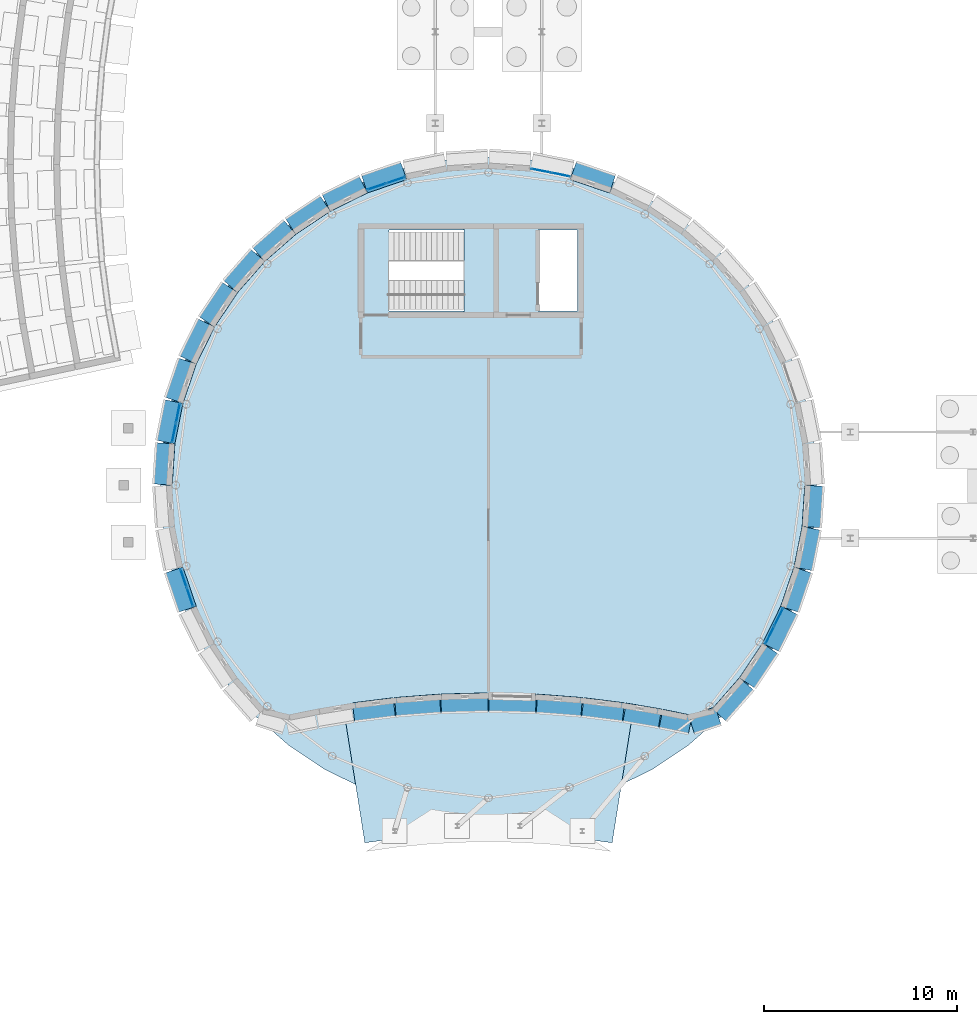
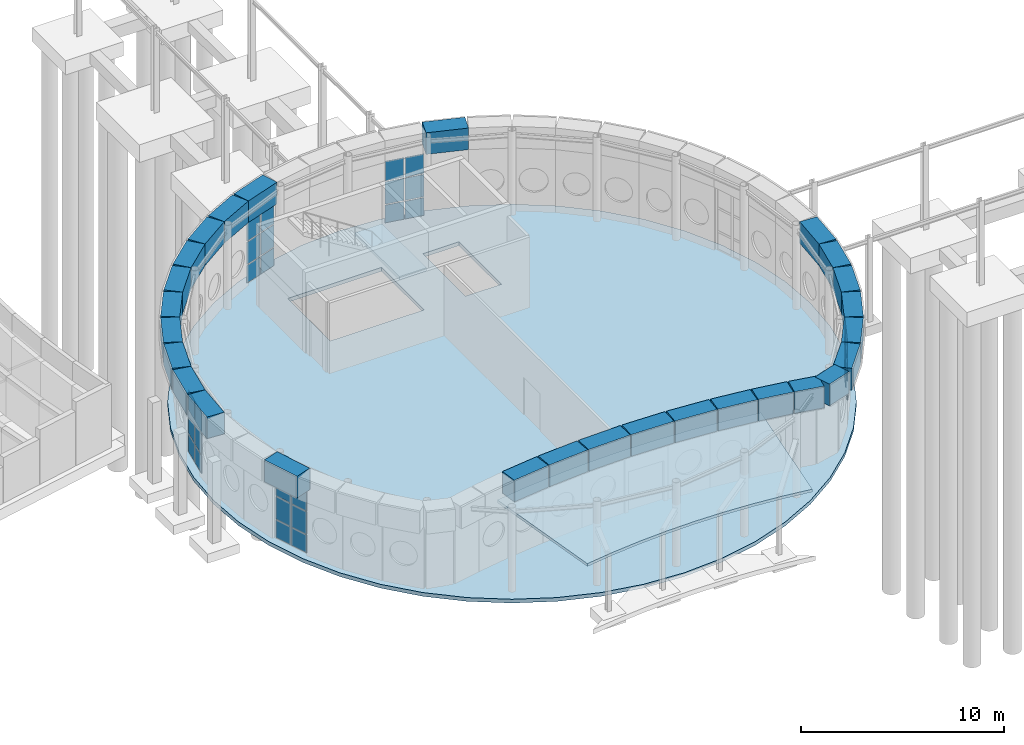
# One storey, part 74 of 109: 57 plates, 3 slabs, 6 elements without a shape of their own.
"""IFC4 building model written with IfcOpenShell, lengths in metres."""

from ifc_helpers import new_model, si_unit, direction, frame, origin, origin_2d, place, context, subcontext, project, spatial, polyline, rectangle, outline, extrude, material, layer, layer_set, type_object, element, aggregate, save


model = new_model("IFC4")

# Units and contexts
model_context = context("Model", 3, precision=1e-05, world=origin(), true_north=direction((0.0, 1.0)))
body_context = subcontext(model_context, "Body", "Model", "MODEL_VIEW")
ifc_project = project(units=[si_unit("LENGTHUNIT", "METRE"), si_unit("AREAUNIT", "SQUARE_METRE"), si_unit("VOLUMEUNIT", "CUBIC_METRE"), si_unit("PLANEANGLEUNIT", "RADIAN"), si_unit("MASSUNIT", "GRAM", prefix="KILO")], contexts=[model_context])

# Site, building, storey
site_placement = place(None, origin())
site = spatial("IfcSite", under=ifc_project, at=site_placement, CompositionType="ELEMENT")
building_placement = place(site_placement, origin())
building = spatial("IfcBuilding", under=site, at=building_placement, Name="Montecoro Central Library", CompositionType="ELEMENT")
storey_placement = place(building_placement, origin())
storey = spatial("IfcBuildingStorey", under=building, at=storey_placement, Name="L00", CompositionType="ELEMENT", Elevation=0.0)

# Curtain wall, plates
ifc_material_1 = material(Name="Bronze-anodised aluminium and low-E glazing", Category="aluminium")
ifc_layer_1 = layer(ifc_material_1, 0.159912109375)
ifc_layer_set_1 = layer_set([ifc_layer_1], Name="Bronze-anodised aluminium and low-E glazing")
curtain_wall_type_1 = type_object("IfcCurtainWallType", Name="CWT-002", PredefinedType="NOTDEFINED", material=ifc_layer_set_1)
curtain_wall_1_placement = place(storey_placement, origin())
curtain_wall_1 = element("IfcCurtainWall", 1, at=curtain_wall_1_placement, inside=storey, type_object=curtain_wall_type_1, Name="V1-L00-CW-11", PredefinedType="NOTDEFINED")
ifc_material_2 = material(Name="Laminated low-E double glazing", Category="glass")
ifc_layer_2 = layer(ifc_material_2, 0.02587890625)
ifc_layer_set_2 = layer_set([ifc_layer_2], Name="Laminated low-E double glazing")
plate_type_1 = type_object("IfcPlateType", Name="CWP-GLZ-01", PredefinedType="CURTAIN_PANEL", material=ifc_layer_set_2)
plate_1_placement = place(storey_placement, frame((95.327392578125, 51.46630859375, 0.06005859375), z_axis=(0.0, 0.0, 1.0), x_axis=(-0.980830889445, 0.194860889637, 0.0)))
plate_1 = element("IfcPlate", 2, at=plate_1_placement, type_object=plate_type_1, Name="CW-002 panel 1.1", PredefinedType="CURTAIN_PANEL", context=body_context, shape_type="SweptSolid", body=[
    extrude(rectangle(XDim=0.982666015625, YDim=0.02587890625, at=origin_2d()), origin(), (0.0, 0.0, 1.0), 1.06005859375),
])
plate_2_placement = place(storey_placement, frame((95.327392578125, 51.46630859375, 1.18017578125), z_axis=(0.0, 0.0, 1.0), x_axis=(-0.980830889445, 0.194860889637, 0.0)))
plate_2 = element("IfcPlate", 3, at=plate_2_placement, type_object=plate_type_1, Name="CW-002 panel 1.2", PredefinedType="CURTAIN_PANEL", context=body_context, shape_type="SweptSolid", body=[
    extrude(rectangle(XDim=0.982666015625, YDim=0.02587890625, at=origin_2d()), origin(), (0.0, 0.0, 1.0), 1.340087890625),
])
plate_3_placement = place(storey_placement, frame((95.327392578125, 51.46630859375, 2.580078125), z_axis=(0.0, 0.0, 1.0), x_axis=(-0.980830889445, 0.194860889637, 0.0)))
plate_3 = element("IfcPlate", 4, at=plate_3_placement, type_object=plate_type_1, Name="CW-002 panel 1.3", PredefinedType="CURTAIN_PANEL", context=body_context, shape_type="SweptSolid", body=[
    extrude(rectangle(XDim=0.982666015625, YDim=0.02587890625, at=origin_2d()), origin(), (0.0, 0.0, 1.0), 1.179931640625),
])
plate_4_placement = place(storey_placement, frame((94.3046875, 51.669677734375, 0.06005859375), z_axis=(0.0, 0.0, 1.0), x_axis=(-0.980830889445, 0.194860889637, 0.0)))
plate_4 = element("IfcPlate", 5, at=plate_4_placement, type_object=plate_type_1, Name="CW-002 panel 2.1", PredefinedType="CURTAIN_PANEL", context=body_context, shape_type="SweptSolid", body=[
    extrude(rectangle(XDim=0.982666015625, YDim=0.02587890625, at=origin_2d()), origin(), (0.0, 0.0, 1.0), 1.06005859375),
])
plate_5_placement = place(storey_placement, frame((94.3046875, 51.669677734375, 1.18017578125), z_axis=(0.0, 0.0, 1.0), x_axis=(-0.980830889445, 0.194860889637, 0.0)))
plate_5 = element("IfcPlate", 6, at=plate_5_placement, type_object=plate_type_1, Name="CW-002 panel 2.2", PredefinedType="CURTAIN_PANEL", context=body_context, shape_type="SweptSolid", body=[
    extrude(rectangle(XDim=0.982666015625, YDim=0.02587890625, at=origin_2d()), origin(), (0.0, 0.0, 1.0), 1.340087890625),
])
plate_6_placement = place(storey_placement, frame((94.3046875, 51.669677734375, 2.580078125), z_axis=(0.0, 0.0, 1.0), x_axis=(-0.980830889445, 0.194860889637, 0.0)))
plate_6 = element("IfcPlate", 7, at=plate_6_placement, type_object=plate_type_1, Name="CW-002 panel 2.3", PredefinedType="CURTAIN_PANEL", context=body_context, shape_type="SweptSolid", body=[
    extrude(rectangle(XDim=0.982666015625, YDim=0.02587890625, at=origin_2d()), origin(), (0.0, 0.0, 1.0), 1.179931640625),
])
aggregate(curtain_wall_1, [plate_1, plate_2, plate_3, plate_4, plate_5, plate_6])

ifc_layer_3 = layer(ifc_material_1, 0.159912109375)
ifc_layer_set_3 = layer_set([ifc_layer_3], Name="Bronze-anodised aluminium and low-E glazing")
curtain_wall_type_2 = type_object("IfcCurtainWallType", Name="CWT-001", PredefinedType="NOTDEFINED", material=ifc_layer_set_3)
curtain_wall_2_placement = place(storey_placement, origin())
curtain_wall_2 = element("IfcCurtainWall", 8, at=curtain_wall_2_placement, inside=storey, type_object=curtain_wall_type_2, Name="V1-L00-CW-15", PredefinedType="NOTDEFINED")
plate_7_placement = place(storey_placement, frame((86.794189453125, 51.177001953125, 0.06005859375), z_axis=(0.0, 0.0, 1.0), x_axis=(-0.946943212064, -0.32140092272, 0.0)))
plate_7 = element("IfcPlate", 9, at=plate_7_placement, type_object=plate_type_1, Name="CW-001 panel 1.1", PredefinedType="CURTAIN_PANEL", context=body_context, shape_type="SweptSolid", body=[
    extrude(rectangle(XDim=0.98193359375, YDim=0.02587890625, at=origin_2d()), origin(), (0.0, 0.0, 1.0), 1.06005859375),
])
plate_8_placement = place(storey_placement, frame((86.794189453125, 51.177001953125, 1.18017578125), z_axis=(0.0, 0.0, 1.0), x_axis=(-0.946943212064, -0.32140092272, 0.0)))
plate_8 = element("IfcPlate", 10, at=plate_8_placement, type_object=plate_type_1, Name="CW-001 panel 1.2", PredefinedType="CURTAIN_PANEL", context=body_context, shape_type="SweptSolid", body=[
    extrude(rectangle(XDim=0.98193359375, YDim=0.02587890625, at=origin_2d()), origin(), (0.0, 0.0, 1.0), 1.340087890625),
])
plate_9_placement = place(storey_placement, frame((86.794189453125, 51.177001953125, 2.580078125), z_axis=(0.0, 0.0, 1.0), x_axis=(-0.946943212064, -0.32140092272, 0.0)))
plate_9 = element("IfcPlate", 11, at=plate_9_placement, type_object=plate_type_1, Name="CW-001 panel 1.3", PredefinedType="CURTAIN_PANEL", context=body_context, shape_type="SweptSolid", body=[
    extrude(rectangle(XDim=0.98193359375, YDim=0.02587890625, at=origin_2d()), origin(), (0.0, 0.0, 1.0), 1.179931640625),
])
plate_10_placement = place(storey_placement, frame((85.8076171875, 50.842041015625, 0.06005859375), z_axis=(0.0, 0.0, 1.0), x_axis=(-0.946943212064, -0.32140092272, 0.0)))
plate_10 = element("IfcPlate", 12, at=plate_10_placement, type_object=plate_type_1, Name="CW-001 panel 2.1", PredefinedType="CURTAIN_PANEL", context=body_context, shape_type="SweptSolid", body=[
    extrude(rectangle(XDim=0.98193359375, YDim=0.02587890625, at=origin_2d()), origin(), (0.0, 0.0, 1.0), 1.06005859375),
])
plate_11_placement = place(storey_placement, frame((85.8076171875, 50.842041015625, 1.18017578125), z_axis=(0.0, 0.0, 1.0), x_axis=(-0.946943212064, -0.32140092272, 0.0)))
plate_11 = element("IfcPlate", 13, at=plate_11_placement, type_object=plate_type_1, Name="CW-001 panel 2.2", PredefinedType="CURTAIN_PANEL", context=body_context, shape_type="SweptSolid", body=[
    extrude(rectangle(XDim=0.98193359375, YDim=0.02587890625, at=origin_2d()), origin(), (0.0, 0.0, 1.0), 1.340087890625),
])
plate_12_placement = place(storey_placement, frame((85.8076171875, 50.842041015625, 2.580078125), z_axis=(0.0, 0.0, 1.0), x_axis=(-0.946943212064, -0.32140092272, 0.0)))
plate_12 = element("IfcPlate", 14, at=plate_12_placement, type_object=plate_type_1, Name="CW-001 panel 2.3", PredefinedType="CURTAIN_PANEL", context=body_context, shape_type="SweptSolid", body=[
    extrude(rectangle(XDim=0.98193359375, YDim=0.02587890625, at=origin_2d()), origin(), (0.0, 0.0, 1.0), 1.179931640625),
])
aggregate(curtain_wall_2, [plate_7, plate_8, plate_9, plate_10, plate_11, plate_12])

curtain_wall_3_placement = place(storey_placement, origin())
curtain_wall_3 = element("IfcCurtainWall", 15, at=curtain_wall_3_placement, inside=storey, type_object=curtain_wall_type_1, Name="V1-L00-CW-23", PredefinedType="NOTDEFINED")
plate_13_placement = place(storey_placement, frame((75.53369140625, 39.127197265625, 0.06005859375), z_axis=(0.0, 0.0, 1.0), x_axis=(-0.194860889637, -0.980830889445, 0.0)))
plate_13 = element("IfcPlate", 16, at=plate_13_placement, type_object=plate_type_1, Name="CW-002 panel 1.1", PredefinedType="CURTAIN_PANEL", context=body_context, shape_type="SweptSolid", body=[
    extrude(rectangle(XDim=0.982666015625, YDim=0.02587890625, at=origin_2d()), origin(), (0.0, 0.0, 1.0), 1.06005859375),
])
plate_14_placement = place(storey_placement, frame((75.53369140625, 39.127197265625, 1.18017578125), z_axis=(0.0, 0.0, 1.0), x_axis=(-0.194860889637, -0.980830889445, 0.0)))
plate_14 = element("IfcPlate", 17, at=plate_14_placement, type_object=plate_type_1, Name="CW-002 panel 1.2", PredefinedType="CURTAIN_PANEL", context=body_context, shape_type="SweptSolid", body=[
    extrude(rectangle(XDim=0.982666015625, YDim=0.02587890625, at=origin_2d()), origin(), (0.0, 0.0, 1.0), 1.340087890625),
])
plate_15_placement = place(storey_placement, frame((75.53369140625, 39.127197265625, 2.580078125), z_axis=(0.0, 0.0, 1.0), x_axis=(-0.194860889637, -0.980830889445, 0.0)))
plate_15 = element("IfcPlate", 18, at=plate_15_placement, type_object=plate_type_1, Name="CW-002 panel 1.3", PredefinedType="CURTAIN_PANEL", context=body_context, shape_type="SweptSolid", body=[
    extrude(rectangle(XDim=0.982666015625, YDim=0.02587890625, at=origin_2d()), origin(), (0.0, 0.0, 1.0), 1.179931640625),
])
plate_16_placement = place(storey_placement, frame((75.330322265625, 38.104736328125, 0.06005859375), z_axis=(0.0, 0.0, 1.0), x_axis=(-0.194860889637, -0.980830889445, 0.0)))
plate_16 = element("IfcPlate", 19, at=plate_16_placement, type_object=plate_type_1, Name="CW-002 panel 2.1", PredefinedType="CURTAIN_PANEL", context=body_context, shape_type="SweptSolid", body=[
    extrude(rectangle(XDim=0.982666015625, YDim=0.02587890625, at=origin_2d()), origin(), (0.0, 0.0, 1.0), 1.06005859375),
])
plate_17_placement = place(storey_placement, frame((75.330322265625, 38.104736328125, 1.18017578125), z_axis=(0.0, 0.0, 1.0), x_axis=(-0.194860889637, -0.980830889445, 0.0)))
plate_17 = element("IfcPlate", 20, at=plate_17_placement, type_object=plate_type_1, Name="CW-002 panel 2.2", PredefinedType="CURTAIN_PANEL", context=body_context, shape_type="SweptSolid", body=[
    extrude(rectangle(XDim=0.982666015625, YDim=0.02587890625, at=origin_2d()), origin(), (0.0, 0.0, 1.0), 1.340087890625),
])
plate_18_placement = place(storey_placement, frame((75.330322265625, 38.104736328125, 2.580078125), z_axis=(0.0, 0.0, 1.0), x_axis=(-0.194860889637, -0.980830889445, 0.0)))
plate_18 = element("IfcPlate", 21, at=plate_18_placement, type_object=plate_type_1, Name="CW-002 panel 2.3", PredefinedType="CURTAIN_PANEL", context=body_context, shape_type="SweptSolid", body=[
    extrude(rectangle(XDim=0.982666015625, YDim=0.02587890625, at=origin_2d()), origin(), (0.0, 0.0, 1.0), 1.179931640625),
])
aggregate(curtain_wall_3, [plate_13, plate_14, plate_15, plate_16, plate_17, plate_18])

curtain_wall_4_placement = place(storey_placement, origin())
curtain_wall_4 = element("IfcCurtainWall", 22, at=curtain_wall_4_placement, inside=storey, type_object=curtain_wall_type_2, Name="V1-L00-CW-27", PredefinedType="NOTDEFINED")
plate_19_placement = place(storey_placement, frame((75.822998046875, 30.59423828125, 0.06005859375), z_axis=(0.0, 0.0, 1.0), x_axis=(0.32140092272, -0.946943212064, 0.0)))
plate_19 = element("IfcPlate", 23, at=plate_19_placement, type_object=plate_type_1, Name="CW-001 panel 1.1", PredefinedType="CURTAIN_PANEL", context=body_context, shape_type="SweptSolid", body=[
    extrude(rectangle(XDim=0.98193359375, YDim=0.02587890625, at=origin_2d()), origin(), (0.0, 0.0, 1.0), 1.06005859375),
])
plate_20_placement = place(storey_placement, frame((75.822998046875, 30.59423828125, 1.18017578125), z_axis=(0.0, 0.0, 1.0), x_axis=(0.32140092272, -0.946943212064, 0.0)))
plate_20 = element("IfcPlate", 24, at=plate_20_placement, type_object=plate_type_1, Name="CW-001 panel 1.2", PredefinedType="CURTAIN_PANEL", context=body_context, shape_type="SweptSolid", body=[
    extrude(rectangle(XDim=0.98193359375, YDim=0.02587890625, at=origin_2d()), origin(), (0.0, 0.0, 1.0), 1.340087890625),
])
plate_21_placement = place(storey_placement, frame((75.822998046875, 30.59423828125, 2.580078125), z_axis=(0.0, 0.0, 1.0), x_axis=(0.32140092272, -0.946943212064, 0.0)))
plate_21 = element("IfcPlate", 25, at=plate_21_placement, type_object=plate_type_1, Name="CW-001 panel 1.3", PredefinedType="CURTAIN_PANEL", context=body_context, shape_type="SweptSolid", body=[
    extrude(rectangle(XDim=0.98193359375, YDim=0.02587890625, at=origin_2d()), origin(), (0.0, 0.0, 1.0), 1.179931640625),
])
plate_22_placement = place(storey_placement, frame((76.157958984375, 29.607666015625, 0.06005859375), z_axis=(0.0, 0.0, 1.0), x_axis=(0.32140092272, -0.946943212064, 0.0)))
plate_22 = element("IfcPlate", 26, at=plate_22_placement, type_object=plate_type_1, Name="CW-001 panel 2.1", PredefinedType="CURTAIN_PANEL", context=body_context, shape_type="SweptSolid", body=[
    extrude(rectangle(XDim=0.98193359375, YDim=0.02587890625, at=origin_2d()), origin(), (0.0, 0.0, 1.0), 1.06005859375),
])
plate_23_placement = place(storey_placement, frame((76.157958984375, 29.607666015625, 1.18017578125), z_axis=(0.0, 0.0, 1.0), x_axis=(0.32140092272, -0.946943212064, 0.0)))
plate_23 = element("IfcPlate", 27, at=plate_23_placement, type_object=plate_type_1, Name="CW-001 panel 2.2", PredefinedType="CURTAIN_PANEL", context=body_context, shape_type="SweptSolid", body=[
    extrude(rectangle(XDim=0.98193359375, YDim=0.02587890625, at=origin_2d()), origin(), (0.0, 0.0, 1.0), 1.340087890625),
])
plate_24_placement = place(storey_placement, frame((76.157958984375, 29.607666015625, 2.580078125), z_axis=(0.0, 0.0, 1.0), x_axis=(0.32140092272, -0.946943212064, 0.0)))
plate_24 = element("IfcPlate", 28, at=plate_24_placement, type_object=plate_type_1, Name="CW-001 panel 2.3", PredefinedType="CURTAIN_PANEL", context=body_context, shape_type="SweptSolid", body=[
    extrude(rectangle(XDim=0.98193359375, YDim=0.02587890625, at=origin_2d()), origin(), (0.0, 0.0, 1.0), 1.179931640625),
])
aggregate(curtain_wall_4, [plate_19, plate_20, plate_21, plate_22, plate_23, plate_24])

curtain_wall_5_placement = place(storey_placement, origin())
curtain_wall_5 = element("IfcCurtainWall", 29, at=curtain_wall_5_placement, inside=storey, type_object=curtain_wall_type_2, Name="V1-L00-CW-45", PredefinedType="NOTDEFINED")
plate_25_placement = place(storey_placement, frame((106.154296875, 27.641357421875, 0.06005859375), z_axis=(0.0, 0.0, 1.0), x_axis=(0.441608953303, 0.897207630575, 0.0)))
plate_25 = element("IfcPlate", 30, at=plate_25_placement, type_object=plate_type_1, Name="CW-001 panel 1.1", PredefinedType="CURTAIN_PANEL", context=body_context, shape_type="SweptSolid", body=[
    extrude(rectangle(XDim=0.982177734375, YDim=0.02587890625, at=origin_2d()), origin(), (0.0, 0.0, 1.0), 1.06005859375),
])
plate_26_placement = place(storey_placement, frame((106.154296875, 27.641357421875, 1.18017578125), z_axis=(0.0, 0.0, 1.0), x_axis=(0.441608953303, 0.897207630575, 0.0)))
plate_26 = element("IfcPlate", 31, at=plate_26_placement, type_object=plate_type_1, Name="CW-001 panel 1.2", PredefinedType="CURTAIN_PANEL", context=body_context, shape_type="SweptSolid", body=[
    extrude(rectangle(XDim=0.982177734375, YDim=0.02587890625, at=origin_2d()), origin(), (0.0, 0.0, 1.0), 1.340087890625),
])
plate_27_placement = place(storey_placement, frame((106.154296875, 27.641357421875, 2.580078125), z_axis=(0.0, 0.0, 1.0), x_axis=(0.441608953303, 0.897207630575, 0.0)))
plate_27 = element("IfcPlate", 32, at=plate_27_placement, type_object=plate_type_1, Name="CW-001 panel 1.3", PredefinedType="CURTAIN_PANEL", context=body_context, shape_type="SweptSolid", body=[
    extrude(rectangle(XDim=0.982177734375, YDim=0.02587890625, at=origin_2d()), origin(), (0.0, 0.0, 1.0), 1.179931640625),
])
plate_28_placement = place(storey_placement, frame((106.61474609375, 28.57666015625, 0.06005859375), z_axis=(0.0, 0.0, 1.0), x_axis=(0.441608953303, 0.897207630575, 0.0)))
plate_28 = element("IfcPlate", 33, at=plate_28_placement, type_object=plate_type_1, Name="CW-001 panel 2.1", PredefinedType="CURTAIN_PANEL", context=body_context, shape_type="SweptSolid", body=[
    extrude(rectangle(XDim=0.982177734375, YDim=0.02587890625, at=origin_2d()), origin(), (0.0, 0.0, 1.0), 1.06005859375),
])
plate_29_placement = place(storey_placement, frame((106.61474609375, 28.57666015625, 1.18017578125), z_axis=(0.0, 0.0, 1.0), x_axis=(0.441608953303, 0.897207630575, 0.0)))
plate_29 = element("IfcPlate", 34, at=plate_29_placement, type_object=plate_type_1, Name="CW-001 panel 2.2", PredefinedType="CURTAIN_PANEL", context=body_context, shape_type="SweptSolid", body=[
    extrude(rectangle(XDim=0.982177734375, YDim=0.02587890625, at=origin_2d()), origin(), (0.0, 0.0, 1.0), 1.340087890625),
])
plate_30_placement = place(storey_placement, frame((106.61474609375, 28.57666015625, 2.580078125), z_axis=(0.0, 0.0, 1.0), x_axis=(0.441608953303, 0.897207630575, 0.0)))
plate_30 = element("IfcPlate", 35, at=plate_30_placement, type_object=plate_type_1, Name="CW-001 panel 2.3", PredefinedType="CURTAIN_PANEL", context=body_context, shape_type="SweptSolid", body=[
    extrude(rectangle(XDim=0.982177734375, YDim=0.02587890625, at=origin_2d()), origin(), (0.0, 0.0, 1.0), 1.179931640625),
])
aggregate(curtain_wall_5, [plate_25, plate_26, plate_27, plate_28, plate_29, plate_30])

# Plates
ifc_material_3 = material(Name="Bright white Roman travertine architrave stone", Category="masonry")
ifc_layer_4 = layer(ifc_material_3, 0.949951171875)
ifc_layer_set_4 = layer_set([ifc_layer_4], Name="Bright white Roman travertine architrave stone")
plate_type_2 = type_object("IfcPlateType", Name="PLT-SPN-07", PredefinedType="SHEET", material=ifc_layer_set_4)
for number, where, z_axis, x_axis, name in (
    (36, (97.0009765625, 51.31201171875, 3.7998046875), (0.0, 0.0, 1.0), (-0.946874013303, 0.321604730892, 0.0), "White Travertine Curved Entrance Architrave Band"),
    (37, (86.197998046875, 51.31201171875, 3.7998046875), (0.0, 0.0, 1.0), (-0.946874013303, -0.321604730892, 0.0), "White Travertine Curved Entrance Architrave Band"),
):
    element("IfcPlate", number, at=place(storey_placement, frame(where, z_axis=z_axis, x_axis=x_axis)), inside=storey, type_object=plate_type_2, Name=name, PredefinedType="SHEET", context=body_context, shape_type="SweptSolid", body=[
        extrude(rectangle(XDim=2.14208984375, YDim=0.949951171875, at=origin_2d()), origin(), (0.0, 0.0, 1.0), 1.300048828125),
    ])
for number, where, z_axis, x_axis, name in (
    (38, (84.16796875, 50.470947265625, 3.7998046875), (0.0, 0.0, 1.0), (-0.896949921811, -0.44213214966, 0.0), "White Travertine Curved Entrance Architrave Band"),
    (39, (82.263916015625, 49.3720703125, 3.7998046875), (0.0, 0.0, 1.0), (-0.831469612303, -0.55557023302, 0.0), "White Travertine Curved Entrance Architrave Band"),
):
    element("IfcPlate", number, at=place(storey_placement, frame(where, z_axis=z_axis, x_axis=x_axis)), inside=storey, type_object=plate_type_2, Name=name, PredefinedType="SHEET", context=body_context, shape_type="SweptSolid", body=[
        extrude(rectangle(XDim=2.14306640625, YDim=0.949951171875, at=origin_2d()), origin(), (0.0, 0.0, 1.0), 1.300048828125),
    ])
for number, where, z_axis, x_axis, name in (
    (40, (80.52001953125, 48.033935546875, 3.7998046875), (0.0, 0.0, 1.0), (-0.751954873581, -0.659214584257, 0.0), "White Travertine Curved Entrance Architrave Band"),
    (41, (78.966064453125, 46.47998046875, 3.7998046875), (0.0, 0.0, 1.0), (-0.659214584257, -0.751954873581, 0.0), "White Travertine Curved Entrance Architrave Band"),
):
    element("IfcPlate", number, at=place(storey_placement, frame(where, z_axis=z_axis, x_axis=x_axis)), inside=storey, type_object=plate_type_2, Name=name, PredefinedType="SHEET", context=body_context, shape_type="SweptSolid", body=[
        extrude(rectangle(XDim=2.14208984375, YDim=0.949951171875, at=origin_2d()), origin(), (0.0, 0.0, 1.0), 1.300048828125),
    ])
for number, where, z_axis, x_axis, name in (
    (42, (77.6279296875, 44.736083984375, 3.7998046875), (0.0, 0.0, 1.0), (-0.55557023302, -0.831469612303, 0.0), "White Travertine Curved Entrance Architrave Band"),
    (43, (76.529052734375, 42.83203125, 3.7998046875), (0.0, 0.0, 1.0), (-0.44213214966, -0.896949921811, 0.0), "White Travertine Curved Entrance Architrave Band"),
):
    element("IfcPlate", number, at=place(storey_placement, frame(where, z_axis=z_axis, x_axis=x_axis)), inside=storey, type_object=plate_type_2, Name=name, PredefinedType="SHEET", context=body_context, shape_type="SweptSolid", body=[
        extrude(rectangle(XDim=2.14306640625, YDim=0.949951171875, at=origin_2d()), origin(), (0.0, 0.0, 1.0), 1.300048828125),
    ])
plate_31_placement = place(storey_placement, frame((75.68798828125, 40.802001953125, 3.7998046875), z_axis=(0.0, 0.0, 1.0), x_axis=(-0.321604730892, -0.946874013303, 0.0)))
element("IfcPlate", 44, at=plate_31_placement, inside=storey, type_object=plate_type_2, Name="White Travertine Curved Entrance Architrave Band", PredefinedType="SHEET", context=body_context, shape_type="SweptSolid", body=[
    extrude(rectangle(XDim=2.14208984375, YDim=0.949951171875, at=origin_2d()), origin(), (0.0, 0.0, 1.0), 1.300048828125),
])
for number, where, z_axis, x_axis, name in (
    (45, (75.118896484375, 38.677978515625, 3.7998046875), (0.0, 0.0, 1.0), (-0.195090322016, -0.980785280403, 0.0), "White Travertine Curved Entrance Architrave Band"),
    (46, (74.83203125, 36.4990234375, 3.7998046875), (0.0, 0.0, 1.0), (-0.06540312923, -0.997858923239, 0.0), "White Travertine Curved Entrance Architrave Band"),
):
    element("IfcPlate", number, at=place(storey_placement, frame(where, z_axis=z_axis, x_axis=x_axis)), inside=storey, type_object=plate_type_2, Name=name, PredefinedType="SHEET", context=body_context, shape_type="SweptSolid", body=[
        extrude(rectangle(XDim=2.14306640625, YDim=0.949951171875, at=origin_2d()), origin(), (0.0, 0.0, 1.0), 1.300048828125),
    ])
plate_32_placement = place(storey_placement, frame((75.68798828125, 29.998046875, 3.7998046875), z_axis=(0.0, 0.0, 1.0), x_axis=(0.321604730892, -0.946874013303, 0.0)))
element("IfcPlate", 47, at=plate_32_placement, inside=storey, type_object=plate_type_2, Name="White Travertine Curved Entrance Architrave Band", PredefinedType="SHEET", context=body_context, shape_type="SweptSolid", body=[
    extrude(rectangle(XDim=2.14208984375, YDim=0.949951171875, at=origin_2d()), origin(), (0.0, 0.0, 1.0), 1.300048828125),
])
plate_33_placement = place(storey_placement, frame((85.6689453125, 23.797119140625, 3.7998046875), z_axis=(0.0, 0.0, 1.0), x_axis=(0.992245405958, 0.124294224947, 0.0)))
element("IfcPlate", 48, at=plate_33_placement, inside=storey, type_object=plate_type_2, Name="White Travertine Curved Entrance Architrave Band", PredefinedType="SHEET", context=body_context, shape_type="SweptSolid", body=[
    extrude(rectangle(XDim=2.1201171875, YDim=0.949951171875, at=origin_2d()), origin(), (0.0, 0.0, 1.0), 1.300048828125),
])
plate_34_placement = place(storey_placement, frame((87.93603515625, 24.02392578125, 3.7998046875), z_axis=(0.0, 0.0, 1.0), x_axis=(0.997066127037, 0.076545008426, 0.0)))
element("IfcPlate", 49, at=plate_34_placement, inside=storey, type_object=plate_type_2, Name="White Travertine Curved Entrance Architrave Band", PredefinedType="SHEET", context=body_context, shape_type="SweptSolid", body=[
    extrude(rectangle(XDim=2.31591796875, YDim=0.949951171875, at=origin_2d()), origin(), (0.0, 0.0, 1.0), 1.300048828125),
])
for number, where, z_axis, x_axis, name in (
    (50, (90.360107421875, 24.14794921875, 3.7998046875), (0.0, 0.0, 1.0), (0.999657324976, 0.026176948308, 0.0), "White Travertine Curved Entrance Architrave Band"),
    (51, (92.840087890625, 24.14794921875, 3.7998046875), (0.0, 0.0, 1.0), (0.999657324976, -0.026176948308, 0.0), "White Travertine Curved Entrance Architrave Band"),
):
    element("IfcPlate", number, at=place(storey_placement, frame(where, z_axis=z_axis, x_axis=x_axis)), inside=storey, type_object=plate_type_2, Name=name, PredefinedType="SHEET", context=body_context, shape_type="SweptSolid", body=[
        extrude(rectangle(XDim=2.4208984375, YDim=0.949951171875, at=origin_2d()), origin(), (0.0, 0.0, 1.0), 1.300048828125),
    ])
plate_35_placement = place(storey_placement, frame((95.263916015625, 24.02392578125, 3.7998046875), z_axis=(0.0, 0.0, 1.0), x_axis=(0.997066127037, -0.076545008426, 0.0)))
element("IfcPlate", 52, at=plate_35_placement, inside=storey, type_object=plate_type_2, Name="White Travertine Curved Entrance Architrave Band", PredefinedType="SHEET", context=body_context, shape_type="SweptSolid", body=[
    extrude(rectangle(XDim=2.31591796875, YDim=0.949951171875, at=origin_2d()), origin(), (0.0, 0.0, 1.0), 1.300048828125),
])
plate_36_placement = place(storey_placement, frame((97.530029296875, 23.797119140625, 3.7998046875), z_axis=(0.0, 0.0, 1.0), x_axis=(0.992245405958, -0.124294224947, 0.0)))
element("IfcPlate", 53, at=plate_36_placement, inside=storey, type_object=plate_type_2, Name="White Travertine Curved Entrance Architrave Band", PredefinedType="SHEET", context=body_context, shape_type="SweptSolid", body=[
    extrude(rectangle(XDim=2.1201171875, YDim=0.949951171875, at=origin_2d()), origin(), (0.0, 0.0, 1.0), 1.300048828125),
])
plate_37_placement = place(storey_placement, frame((99.555908203125, 23.501953125, 3.7998046875), z_axis=(0.0, 0.0, 1.0), x_axis=(0.985937763727, -0.167112914094, 0.0)))
element("IfcPlate", 54, at=plate_37_placement, inside=storey, type_object=plate_type_2, Name="White Travertine Curved Entrance Architrave Band", PredefinedType="SHEET", context=body_context, shape_type="SweptSolid", body=[
    extrude(rectangle(XDim=1.85498046875, YDim=0.949951171875, at=origin_2d()), origin(), (0.0, 0.0, 1.0), 1.300048828125),
])
plate_38_placement = place(storey_placement, frame((101.284912109375, 23.178955078125, 3.7998046875), z_axis=(0.0, 0.0, 1.0), x_axis=(0.979151964846, -0.203129096238, 0.0)))
element("IfcPlate", 55, at=plate_38_placement, inside=storey, type_object=plate_type_2, Name="White Travertine Curved Entrance Architrave Band", PredefinedType="SHEET", context=body_context, shape_type="SweptSolid", body=[
    extrude(rectangle(XDim=1.5439453125, YDim=0.949951171875, at=origin_2d()), origin(), (0.0, 0.0, 1.0), 1.300048828125),
])
plate_39_placement = place(storey_placement, frame((102.7900390625, 23.25390625, 3.7998046875), z_axis=(0.0, 0.0, 1.0), x_axis=(0.949260941439, 0.314489530921, 0.0)))
element("IfcPlate", 56, at=plate_39_placement, inside=storey, type_object=plate_type_2, Name="White Travertine Curved Entrance Architrave Band", PredefinedType="SHEET", context=body_context, shape_type="SweptSolid", body=[
    extrude(rectangle(XDim=1.4541015625, YDim=0.949951171875, at=origin_2d()), origin(), (0.0, 0.0, 1.0), 1.300048828125),
])
plate_40_placement = place(storey_placement, frame((104.23388671875, 24.320068359375, 3.7998046875), z_axis=(0.0, 0.0, 1.0), x_axis=(0.659214584257, 0.751954873581, 0.0)))
element("IfcPlate", 57, at=plate_40_placement, inside=storey, type_object=plate_type_2, Name="White Travertine Curved Entrance Architrave Band", PredefinedType="SHEET", context=body_context, shape_type="SweptSolid", body=[
    extrude(rectangle(XDim=2.14208984375, YDim=0.949951171875, at=origin_2d()), origin(), (0.0, 0.0, 1.0), 1.300048828125),
])
for number, where, z_axis, x_axis, name in (
    (58, (105.572021484375, 26.06396484375, 3.7998046875), (0.0, 0.0, 1.0), (0.55557023302, 0.831469612303, 0.0), "White Travertine Curved Entrance Architrave Band"),
    (59, (106.6708984375, 27.968017578125, 3.7998046875), (0.0, 0.0, 1.0), (0.44213214966, 0.896949921811, 0.0), "White Travertine Curved Entrance Architrave Band"),
):
    element("IfcPlate", number, at=place(storey_placement, frame(where, z_axis=z_axis, x_axis=x_axis)), inside=storey, type_object=plate_type_2, Name=name, PredefinedType="SHEET", context=body_context, shape_type="SweptSolid", body=[
        extrude(rectangle(XDim=2.14306640625, YDim=0.949951171875, at=origin_2d()), origin(), (0.0, 0.0, 1.0), 1.300048828125),
    ])
plate_41_placement = place(storey_placement, frame((107.511962890625, 29.998046875, 3.7998046875), z_axis=(0.0, 0.0, 1.0), x_axis=(0.321604730892, 0.946874013303, 0.0)))
element("IfcPlate", 60, at=plate_41_placement, inside=storey, type_object=plate_type_2, Name="White Travertine Curved Entrance Architrave Band", PredefinedType="SHEET", context=body_context, shape_type="SweptSolid", body=[
    extrude(rectangle(XDim=2.14208984375, YDim=0.949951171875, at=origin_2d()), origin(), (0.0, 0.0, 1.0), 1.300048828125),
])
for number, where, z_axis, x_axis, name in (
    (61, (108.0810546875, 32.12109375, 3.7998046875), (0.0, 0.0, 1.0), (0.195090322016, 0.980785280403, 0.0), "White Travertine Curved Entrance Architrave Band"),
    (62, (108.367919921875, 34.301025390625, 3.7998046875), (0.0, 0.0, 1.0), (0.06540312923, 0.997858923239, 0.0), "White Travertine Curved Entrance Architrave Band"),
):
    element("IfcPlate", number, at=place(storey_placement, frame(where, z_axis=z_axis, x_axis=x_axis)), inside=storey, type_object=plate_type_2, Name=name, PredefinedType="SHEET", context=body_context, shape_type="SweptSolid", body=[
        extrude(rectangle(XDim=2.14306640625, YDim=0.949951171875, at=origin_2d()), origin(), (0.0, 0.0, 1.0), 1.300048828125),
    ])

# Slab
ifc_material_4 = material(Name="Concrete C32/40", Category="concrete")
ifc_layer_5 = layer(ifc_material_4, 0.22509765625)
ifc_layer_set_5 = layer_set([ifc_layer_5], Name="Concrete C32/40")
slab_type_1 = type_object("IfcSlabType", Name="SL-FLR-225", PredefinedType="FLOOR", material=ifc_layer_set_5)
slab_1_placement = place(storey_placement, frame((0.0, 0.0, -0.22509765625)))
element("IfcSlab", 63, at=slab_1_placement, inside=storey, type_object=slab_type_1, Name="V1-L00-SLAB", PredefinedType="FLOOR", context=body_context, shape_type="SweptSolid", body=[
    extrude(outline(polyline([(108.570068359375, 35.39990234375), (108.425048828125, 37.614990234375), (107.991943359375, 39.7919921875), (107.278076171875, 41.89404296875), (106.2958984375, 43.885009765625), (105.06298828125, 45.73095703125), (103.60009765625, 47.39990234375), (101.930908203125, 48.863037109375), (100.0849609375, 50.095947265625), (98.093994140625, 51.077880859375), (95.991943359375, 51.7919921875), (93.81494140625, 52.22509765625), (91.60009765625, 52.3701171875), (89.385009765625, 52.22509765625), (87.2080078125, 51.7919921875), (85.10595703125, 51.077880859375), (83.114990234375, 50.095947265625), (81.26904296875, 48.863037109375), (79.60009765625, 47.39990234375), (78.136962890625, 45.73095703125), (76.904052734375, 43.885009765625), (75.922119140625, 41.89404296875), (75.2080078125, 39.7919921875), (74.77490234375, 37.614990234375), (74.6298828125, 35.39990234375), (74.77490234375, 33.18505859375), (75.2080078125, 31.008056640625), (75.922119140625, 28.906005859375), (76.904052734375, 26.9150390625), (78.136962890625, 25.069091796875), (79.60009765625, 23.39990234375), (81.26904296875, 21.93701171875), (83.114990234375, 20.7041015625), (85.10595703125, 19.721923828125), (87.2080078125, 19.008056640625), (89.385009765625, 18.574951171875), (91.60009765625, 18.429931640625), (93.81494140625, 18.574951171875), (95.991943359375, 19.008056640625), (98.093994140625, 19.721923828125), (100.0849609375, 20.7041015625), (101.930908203125, 21.93701171875), (103.60009765625, 23.39990234375), (105.06298828125, 25.069091796875), (106.2958984375, 26.9150390625), (107.278076171875, 28.906005859375), (107.991943359375, 31.008056640625), (108.425048828125, 33.18505859375), (108.570068359375, 35.39990234375)]), holes=[polyline([(86.4599609375, 48.60009765625), (91.800048828125, 48.60009765625), (91.800048828125, 44.39990234375), (86.4599609375, 44.39990234375), (86.4599609375, 48.60009765625)]), polyline([(94.14990234375, 48.60009765625), (96.199951171875, 48.60009765625), (96.199951171875, 44.39990234375), (94.14990234375, 44.39990234375), (94.14990234375, 48.60009765625)])]), origin(), (0.0, 0.0, 1.0), 0.22509765625),
])

# Stair, slab
ifc_material_5 = material(Name="Concrete C35/45", Category="concrete")
stair_type = type_object("IfcStairType", Name="STR-RET-150", PredefinedType="HALF_TURN_STAIR", material=ifc_material_5)
stair_placement = place(storey_placement, origin())
stair = element("IfcStair", 64, at=stair_placement, inside=storey, type_object=stair_type, Name="C1-L00-STR", PredefinedType="HALF_TURN_STAIR")
ifc_layer_6 = layer(ifc_material_5, 0.199951171875)
ifc_layer_set_6 = layer_set([ifc_layer_6], Name="Concrete C35/45")
slab_type_2 = type_object("IfcSlabType", Name="SL-LND-200", PredefinedType="LANDING", material=ifc_layer_set_6)
slab_2_placement = place(storey_placement, frame((0.0, 0.0, 2.35009765625)))
slab_2 = element("IfcSlab", 65, at=slab_2_placement, type_object=slab_type_2, Name="ST-01 landing 1", PredefinedType="LANDING", context=body_context, shape_type="SweptSolid", body=[
    extrude(outline(polyline([(90.340087890625, 44.320068359375), (91.8798828125, 44.320068359375), (91.8798828125, 48.679931640625), (90.340087890625, 48.679931640625), (90.340087890625, 44.320068359375)])), origin(), (0.0, 0.0, 1.0), 0.199951171875),
])
aggregate(stair, [slab_2])

# Slab
ifc_layer_7 = layer(ifc_material_4, 0.172119140625)
ifc_layer_set_7 = layer_set([ifc_layer_7], Name="Concrete C32/40")
slab_type_3 = type_object("IfcSlabType", Name="SL-ROOF-172", PredefinedType="ROOF", material=ifc_layer_set_7)
slab_3_placement = place(storey_placement, frame((0.0, 0.0, 3.548095703125)))
element("IfcSlab", 66, at=slab_3_placement, inside=storey, type_object=slab_type_3, Name="Boulevard Forecourt Entrance Canopy", PredefinedType="ROOF", context=body_context, shape_type="SweptSolid", body=[
    extrude(outline(polyline([(97.998046875, 16.89599609375), (96.406982421875, 17.115966796875), (94.80908203125, 17.27392578125), (93.2060546875, 17.367919921875), (91.60009765625, 17.39990234375), (89.993896484375, 17.367919921875), (88.39111328125, 17.27392578125), (86.79296875, 17.115966796875), (85.201904296875, 16.89599609375), (84.09912109375, 23.860107421875), (85.964111328125, 24.117919921875), (87.837890625, 24.302001953125), (89.717041015625, 24.4130859375), (91.60009765625, 24.449951171875), (93.48291015625, 24.4130859375), (95.362060546875, 24.302001953125), (97.236083984375, 24.117919921875), (99.10107421875, 23.860107421875), (97.998046875, 16.89599609375)])), origin(), (0.0, 0.0, 1.0), 0.171875),
])

save(model, "model.ifc")
